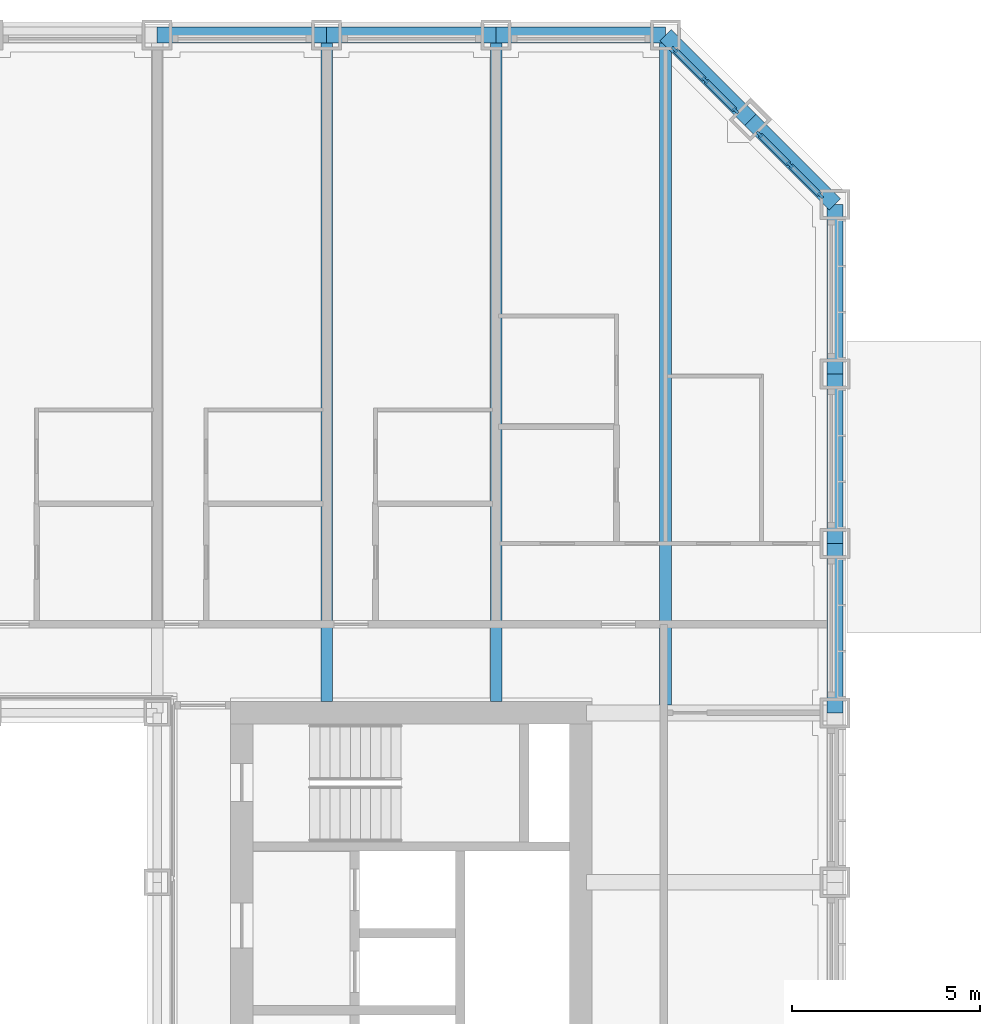
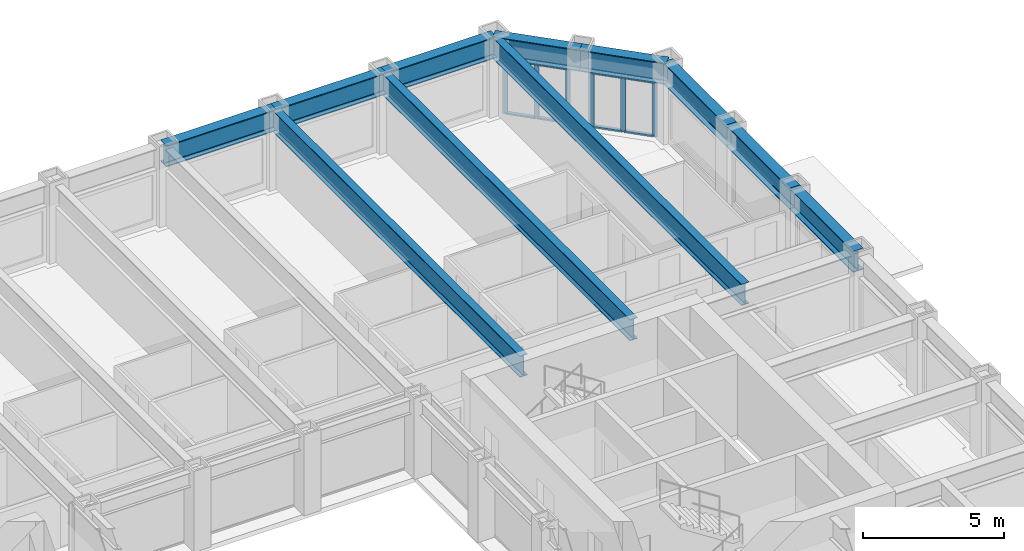
# One storey, part 7 of 24: 14 members, 11 beams, 2 elements without a shape of their own.
"""IFC4 building model written with IfcOpenShell, lengths in metres."""

from ifc_helpers import new_model, si_unit, direction, frame, origin, origin_2d, place, context, subcontext, project, spatial, rectangle, i_section, extrude, material, material_profile, profile_set, type_object, element, aggregate, save


model = new_model("IFC4")

# Units and contexts
model_context = context("Model", 3, precision=1e-05, world=origin(), true_north=direction((0.0, 1.0)))
body_context = subcontext(model_context, "Body", "Model", "MODEL_VIEW")
ifc_project = project(units=[si_unit("LENGTHUNIT", "METRE"), si_unit("AREAUNIT", "SQUARE_METRE"), si_unit("VOLUMEUNIT", "CUBIC_METRE"), si_unit("PLANEANGLEUNIT", "RADIAN"), si_unit("MASSUNIT", "GRAM", prefix="KILO")], contexts=[model_context])

# Site, building, storey
site_placement = place(None, origin())
site = spatial("IfcSite", under=ifc_project, at=site_placement, CompositionType="ELEMENT")
building_placement = place(site_placement, origin())
building = spatial("IfcBuilding", under=site, at=building_placement, Name="Msasa Ring Tower", CompositionType="ELEMENT")
storey_placement = place(building_placement, frame((0.0, 0.0, 26.5)))
storey = spatial("IfcBuildingStorey", under=building, at=storey_placement, Name="L05", CompositionType="ELEMENT", Elevation=26.5)

# Curtain wall, members
ifc_material_1 = material(Name="Aluminium curtain wall with clear glass", Category="aluminium")
curtain_wall_type = type_object("IfcCurtainWallType", Name="CW-C CHAMFER CORNER CURTAIN WALL", PredefinedType="NOTDEFINED", material=ifc_material_1)
curtain_wall_1_placement = place(storey_placement, origin())
curtain_wall_1 = element("IfcCurtainWall", 1, at=curtain_wall_1_placement, inside=storey, type_object=curtain_wall_type, Name="Chamfer corner curtain wall NE L05", PredefinedType="NOTDEFINED")
ifc_material_2 = material(Name="Aluminium mullion", Category="aluminium")
ifc_material_profile_1 = material_profile(ifc_material_2, rectangle(XDim=0.06494140625, YDim=0.179931640625, at=origin_2d()), Name="AL 65x180")
ifc_profile_set_1 = profile_set([ifc_material_profile_1], Name="Aluminium mullion")
member_type_1 = type_object("IfcMemberType", Name="CW-C MULLION 65x180", PredefinedType="MULLION", material=ifc_profile_set_1)
member_1_placement = place(storey_placement, frame((22.119873046875, 22.73876953125, 0.0), z_axis=(0.0, 0.0, 1.0), x_axis=(-0.707106781187, -0.707106781187, 0.0)))
member_1 = element("IfcMember", 2, at=member_1_placement, type_object=member_type_1, Name="CW-C mullion 1", PredefinedType="MULLION", context=body_context, shape_type="SweptSolid", body=[
    extrude(rectangle(XDim=0.06494140625, YDim=0.179931640625, at=origin_2d()), origin(), (0.0, 0.0, 1.0), 2.37890625),
])
member_2_placement = place(storey_placement, frame((21.30419921875, 23.55419921875, 0.0), z_axis=(0.0, 0.0, 1.0), x_axis=(-0.707106781187, -0.707106781187, 0.0)))
member_2 = element("IfcMember", 3, at=member_2_placement, type_object=member_type_1, Name="CW-C mullion 2", PredefinedType="MULLION", context=body_context, shape_type="SweptSolid", body=[
    extrude(rectangle(XDim=0.06494140625, YDim=0.179931640625, at=origin_2d()), origin(), (0.0, 0.0, 1.0), 2.37890625),
])
member_3_placement = place(storey_placement, frame((20.48876953125, 24.369873046875, 0.0), z_axis=(0.0, 0.0, 1.0), x_axis=(-0.707106781187, -0.707106781187, 0.0)))
member_3 = element("IfcMember", 4, at=member_3_placement, type_object=member_type_1, Name="CW-C mullion 3", PredefinedType="MULLION", context=body_context, shape_type="SweptSolid", body=[
    extrude(rectangle(XDim=0.06494140625, YDim=0.179931640625, at=origin_2d()), origin(), (0.0, 0.0, 1.0), 2.37890625),
])

curtain_wall_2_placement = place(storey_placement, origin())
curtain_wall_2 = element("IfcCurtainWall", 5, at=curtain_wall_2_placement, inside=storey, type_object=curtain_wall_type, Name="Chamfer corner curtain wall NE L05", PredefinedType="NOTDEFINED")
member_4_placement = place(storey_placement, frame((24.369873046875, 20.48876953125, 0.0), z_axis=(0.0, 0.0, 1.0), x_axis=(-0.707106781187, -0.707106781187, 0.0)))
member_4 = element("IfcMember", 6, at=member_4_placement, type_object=member_type_1, Name="CW-C mullion 1", PredefinedType="MULLION", context=body_context, shape_type="SweptSolid", body=[
    extrude(rectangle(XDim=0.06494140625, YDim=0.179931640625, at=origin_2d()), origin(), (0.0, 0.0, 1.0), 2.37890625),
])
member_5_placement = place(storey_placement, frame((23.55419921875, 21.30419921875, 0.0), z_axis=(0.0, 0.0, 1.0), x_axis=(-0.707106781187, -0.707106781187, 0.0)))
member_5 = element("IfcMember", 7, at=member_5_placement, type_object=member_type_1, Name="CW-C mullion 2", PredefinedType="MULLION", context=body_context, shape_type="SweptSolid", body=[
    extrude(rectangle(XDim=0.06494140625, YDim=0.179931640625, at=origin_2d()), origin(), (0.0, 0.0, 1.0), 2.37890625),
])
member_6_placement = place(storey_placement, frame((22.73876953125, 22.119873046875, 0.0), z_axis=(0.0, 0.0, 1.0), x_axis=(-0.707106781187, -0.707106781187, 0.0)))
member_6 = element("IfcMember", 8, at=member_6_placement, type_object=member_type_1, Name="CW-C mullion 3", PredefinedType="MULLION", context=body_context, shape_type="SweptSolid", body=[
    extrude(rectangle(XDim=0.06494140625, YDim=0.179931640625, at=origin_2d()), origin(), (0.0, 0.0, 1.0), 2.37890625),
])

# Member
ifc_material_3 = material(Name="Aluminium transom", Category="aluminium")
ifc_material_profile_2 = material_profile(ifc_material_3, rectangle(XDim=0.139892578125, YDim=0.06494140625, at=origin_2d()), Name="AL 65x140")
ifc_profile_set_2 = profile_set([ifc_material_profile_2], Name="Aluminium transom")
member_type_2 = type_object("IfcMemberType", Name="CW-C TRANSOM 65x140", PredefinedType="USERDEFINED", material=ifc_profile_set_2)
member_7_placement = place(storey_placement, frame((22.096923828125, 22.76171875, 0.032470703125), z_axis=(-0.707106781187, 0.707106781187, 0.0), x_axis=(-0.707106781187, -0.707106781187, 0.0)))
member_7 = element("IfcMember", 9, at=member_7_placement, type_object=member_type_2, Name="CW-C transom 1.1", ObjectType="TRANSOM", PredefinedType="USERDEFINED", context=body_context, shape_type="SweptSolid", body=[
    extrude(rectangle(XDim=0.139892578125, YDim=0.06494140625, at=origin_2d()), origin(), (0.0, 0.0, 1.0), 1.08837890625),
])

member_8_placement = place(storey_placement, frame((22.096923828125, 22.76171875, 2.346435546875), z_axis=(-0.707106781187, 0.707106781187, 0.0), x_axis=(-0.707106781187, -0.707106781187, 0.0)))
member_8 = element("IfcMember", 10, at=member_8_placement, type_object=member_type_2, Name="CW-C transom 1.2", ObjectType="TRANSOM", PredefinedType="USERDEFINED", context=body_context, shape_type="SweptSolid", body=[
    extrude(rectangle(XDim=0.139892578125, YDim=0.06494140625, at=origin_2d()), origin(), (0.0, 0.0, 1.0), 1.08837890625),
])

member_9_placement = place(storey_placement, frame((21.28125, 23.577392578125, 0.032470703125), z_axis=(-0.707106781187, 0.707106781187, 0.0), x_axis=(-0.707106781187, -0.707106781187, 0.0)))
member_9 = element("IfcMember", 11, at=member_9_placement, type_object=member_type_2, Name="CW-C transom 2.1", ObjectType="TRANSOM", PredefinedType="USERDEFINED", context=body_context, shape_type="SweptSolid", body=[
    extrude(rectangle(XDim=0.139892578125, YDim=0.06494140625, at=origin_2d()), origin(), (0.0, 0.0, 1.0), 1.08837890625),
])

member_10_placement = place(storey_placement, frame((21.28125, 23.577392578125, 2.346435546875), z_axis=(-0.707106781187, 0.707106781187, 0.0), x_axis=(-0.707106781187, -0.707106781187, 0.0)))
member_10 = element("IfcMember", 12, at=member_10_placement, type_object=member_type_2, Name="CW-C transom 2.2", ObjectType="TRANSOM", PredefinedType="USERDEFINED", context=body_context, shape_type="SweptSolid", body=[
    extrude(rectangle(XDim=0.139892578125, YDim=0.06494140625, at=origin_2d()), origin(), (0.0, 0.0, 1.0), 1.08837890625),
])

aggregate(curtain_wall_1, [member_1, member_2, member_3, member_7, member_8, member_9, member_10])

member_11_placement = place(storey_placement, frame((24.346923828125, 20.51171875, 0.032470703125), z_axis=(-0.707106781187, 0.707106781187, 0.0), x_axis=(-0.707106781187, -0.707106781187, 0.0)))
member_11 = element("IfcMember", 13, at=member_11_placement, type_object=member_type_2, Name="CW-C transom 1.1", ObjectType="TRANSOM", PredefinedType="USERDEFINED", context=body_context, shape_type="SweptSolid", body=[
    extrude(rectangle(XDim=0.139892578125, YDim=0.06494140625, at=origin_2d()), origin(), (0.0, 0.0, 1.0), 1.08837890625),
])

member_12_placement = place(storey_placement, frame((24.346923828125, 20.51171875, 2.346435546875), z_axis=(-0.707106781187, 0.707106781187, 0.0), x_axis=(-0.707106781187, -0.707106781187, 0.0)))
member_12 = element("IfcMember", 14, at=member_12_placement, type_object=member_type_2, Name="CW-C transom 1.2", ObjectType="TRANSOM", PredefinedType="USERDEFINED", context=body_context, shape_type="SweptSolid", body=[
    extrude(rectangle(XDim=0.139892578125, YDim=0.06494140625, at=origin_2d()), origin(), (0.0, 0.0, 1.0), 1.08837890625),
])

member_13_placement = place(storey_placement, frame((23.53125, 21.327392578125, 0.032470703125), z_axis=(-0.707106781187, 0.707106781187, 0.0), x_axis=(-0.707106781187, -0.707106781187, 0.0)))
member_13 = element("IfcMember", 15, at=member_13_placement, type_object=member_type_2, Name="CW-C transom 2.1", ObjectType="TRANSOM", PredefinedType="USERDEFINED", context=body_context, shape_type="SweptSolid", body=[
    extrude(rectangle(XDim=0.139892578125, YDim=0.06494140625, at=origin_2d()), origin(), (0.0, 0.0, 1.0), 1.08837890625),
])

member_14_placement = place(storey_placement, frame((23.53125, 21.327392578125, 2.346435546875), z_axis=(-0.707106781187, 0.707106781187, 0.0), x_axis=(-0.707106781187, -0.707106781187, 0.0)))
member_14 = element("IfcMember", 16, at=member_14_placement, type_object=member_type_2, Name="CW-C transom 2.2", ObjectType="TRANSOM", PredefinedType="USERDEFINED", context=body_context, shape_type="SweptSolid", body=[
    extrude(rectangle(XDim=0.139892578125, YDim=0.06494140625, at=origin_2d()), origin(), (0.0, 0.0, 1.0), 1.08837890625),
])

aggregate(curtain_wall_2, [member_4, member_5, member_6, member_11, member_12, member_13, member_14])

# Beams
ifc_material_4 = material(Name="Steel S355", Category="steel")
ifc_material_profile_3 = material_profile(ifc_material_4, i_section(OverallWidth=0.3076171875, OverallDepth=0.926513671875, WebThickness=0.01953125, FlangeThickness=0.031982421875, FilletRadius=0.01904296875, at=origin_2d()), Name="UB 914x305x289")
ifc_profile_set_3 = profile_set([ifc_material_profile_3], Name="Steel S355")
beam_type_1 = type_object("IfcBeamType", Name="FB3 UB 914x305x289", PredefinedType="BEAM", material=ifc_profile_set_3)
for number, where, z_axis, x_axis, name in (
    (17, (11.25, 24.75, 2.836669921875), (0.0, -1.0, 0.0), (1.0, 0.0, 0.0), "Floor beam N+11.25 under L06"),
    (18, (15.75, 24.75, 2.836669921875), (0.0, -1.0, 0.0), (1.0, 0.0, 0.0), "Floor beam N+15.75 under L06"),
):
    element("IfcBeam", number, at=place(storey_placement, frame(where, z_axis=z_axis, x_axis=x_axis)), inside=storey, type_object=beam_type_1, Name=name, PredefinedType="BEAM", context=body_context, shape_type="SweptSolid", body=[
        extrude(i_section(OverallWidth=0.3076171875, OverallDepth=0.926513671875, WebThickness=0.01953125, FlangeThickness=0.031982421875, FilletRadius=0.01904296875, at=origin_2d()), origin(), (0.0, 0.0, 1.0), 17.699951171875),
    ])
beam_placement = place(storey_placement, frame((20.25, 24.75, 2.836669921875), z_axis=(0.0, -1.0, 0.0), x_axis=(1.0, 0.0, 0.0)))
element("IfcBeam", 19, at=beam_placement, inside=storey, type_object=beam_type_1, Name="Floor beam N+20.25 under L06", PredefinedType="BEAM", context=body_context, shape_type="SweptSolid", body=[
    extrude(i_section(OverallWidth=0.3076171875, OverallDepth=0.926513671875, WebThickness=0.01953125, FlangeThickness=0.031982421875, FilletRadius=0.01904296875, at=origin_2d()), origin(), (0.0, 0.0, 1.0), 17.789794921875),
])
ifc_material_5 = material(Name="Steel S355", Category="steel")
ifc_material_profile_4 = material_profile(ifc_material_5, i_section(OverallWidth=0.42041015625, OverallDepth=0.9208984375, WebThickness=0.021484375, FlangeThickness=0.03662109375, FilletRadius=0.024169921875, at=origin_2d()), Name="UB 914x419x388")
ifc_profile_set_4 = profile_set([ifc_material_profile_4], Name="Steel S355")
beam_type_2 = type_object("IfcBeamType", Name="SB1 UB 914x419x388", PredefinedType="SPANDREL", material=ifc_profile_set_4)
for number, where, z_axis, x_axis, name in (
    (20, (24.75, 6.75, 2.839599609375), (0.0, 1.0, 0.0), (-1.0, 0.0, 0.0), "Spandrel E+6.75 to E+11.25 under L06"),
    (21, (24.75, 11.25, 2.839599609375), (0.0, 1.0, 0.0), (-1.0, 0.0, 0.0), "Spandrel E+11.25 to E+15.75 under L06"),
    (22, (24.75, 15.75, 2.839599609375), (0.0, 1.0, 0.0), (-1.0, 0.0, 0.0), "Spandrel E+15.75 to E+20.25 under L06"),
):
    element("IfcBeam", number, at=place(storey_placement, frame(where, z_axis=z_axis, x_axis=x_axis)), inside=storey, type_object=beam_type_2, Name=name, PredefinedType="SPANDREL", context=body_context, shape_type="SweptSolid", body=[
        extrude(i_section(OverallWidth=0.42041015625, OverallDepth=0.9208984375, WebThickness=0.021484375, FlangeThickness=0.03662109375, FilletRadius=0.024169921875, at=origin_2d()), origin(), (0.0, 0.0, 1.0), 4.5),
    ])
for number, where, z_axis, x_axis, name in (
    (23, (24.75, 20.25, 2.839599609375), (-0.707106781187, 0.707106781187, 0.0), (-0.707106781187, -0.707106781187, 0.0), "Spandrel E+20.25 to NE under L06"),
    (24, (22.5, 22.5, 2.839599609375), (-0.707106781187, 0.707106781187, 0.0), (-0.707106781187, -0.707106781187, 0.0), "Spandrel NE to N+20.25 under L06"),
):
    element("IfcBeam", number, at=place(storey_placement, frame(where, z_axis=z_axis, x_axis=x_axis)), inside=storey, type_object=beam_type_2, Name=name, PredefinedType="SPANDREL", context=body_context, shape_type="SweptSolid", body=[
        extrude(i_section(OverallWidth=0.42041015625, OverallDepth=0.9208984375, WebThickness=0.021484375, FlangeThickness=0.03662109375, FilletRadius=0.024169921875, at=origin_2d()), origin(), (0.0, 0.0, 1.0), 3.181884765625),
    ])
for number, where, z_axis, x_axis, name in (
    (25, (20.25, 24.75, 2.839599609375), (-1.0, 0.0, 0.0), (0.0, -1.0, 0.0), "Spandrel N+20.25 to N+15.75 under L06"),
    (26, (15.75, 24.75, 2.839599609375), (-1.0, 0.0, 0.0), (0.0, -1.0, 0.0), "Spandrel N+15.75 to N+11.25 under L06"),
    (27, (11.25, 24.75, 2.839599609375), (-1.0, 0.0, 0.0), (0.0, -1.0, 0.0), "Spandrel N+11.25 to N+6.75 under L06"),
):
    element("IfcBeam", number, at=place(storey_placement, frame(where, z_axis=z_axis, x_axis=x_axis)), inside=storey, type_object=beam_type_2, Name=name, PredefinedType="SPANDREL", context=body_context, shape_type="SweptSolid", body=[
        extrude(i_section(OverallWidth=0.42041015625, OverallDepth=0.9208984375, WebThickness=0.021484375, FlangeThickness=0.03662109375, FilletRadius=0.024169921875, at=origin_2d()), origin(), (0.0, 0.0, 1.0), 4.5),
    ])

save(model, "model.ifc")
